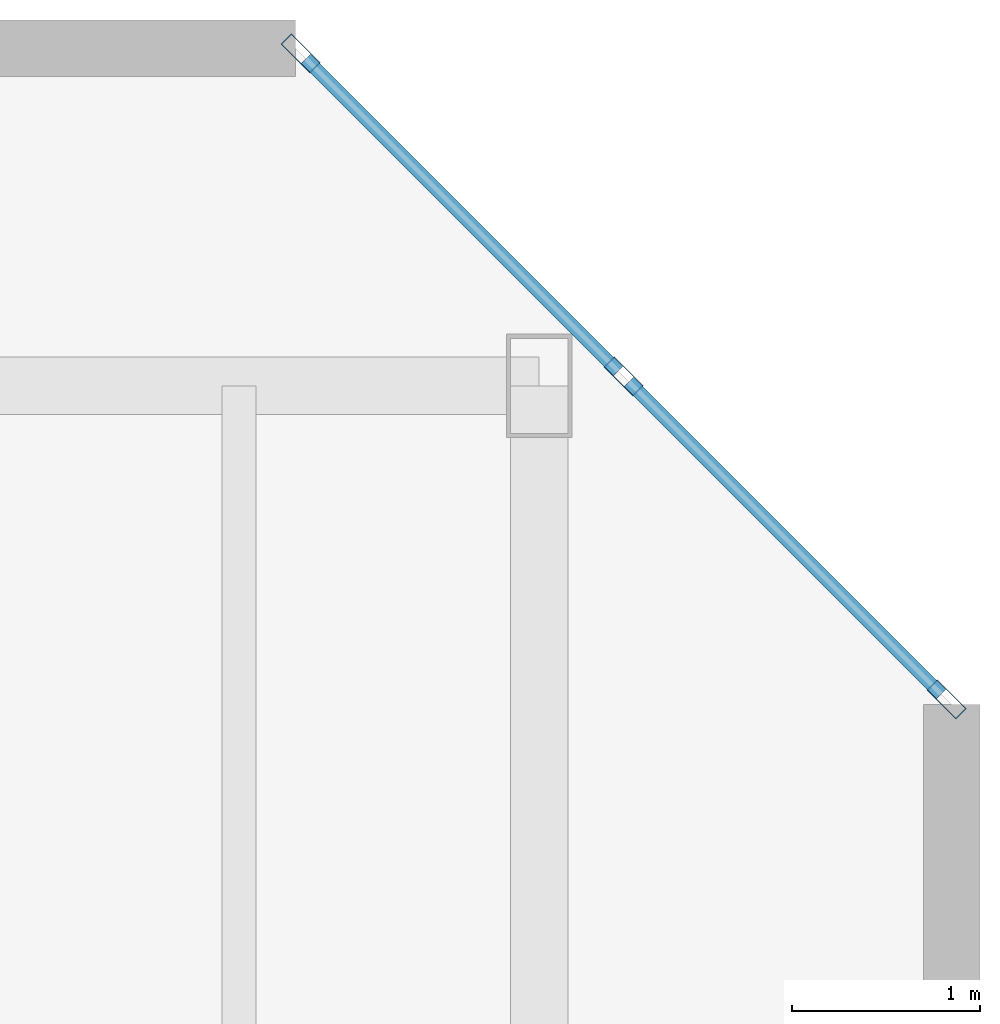
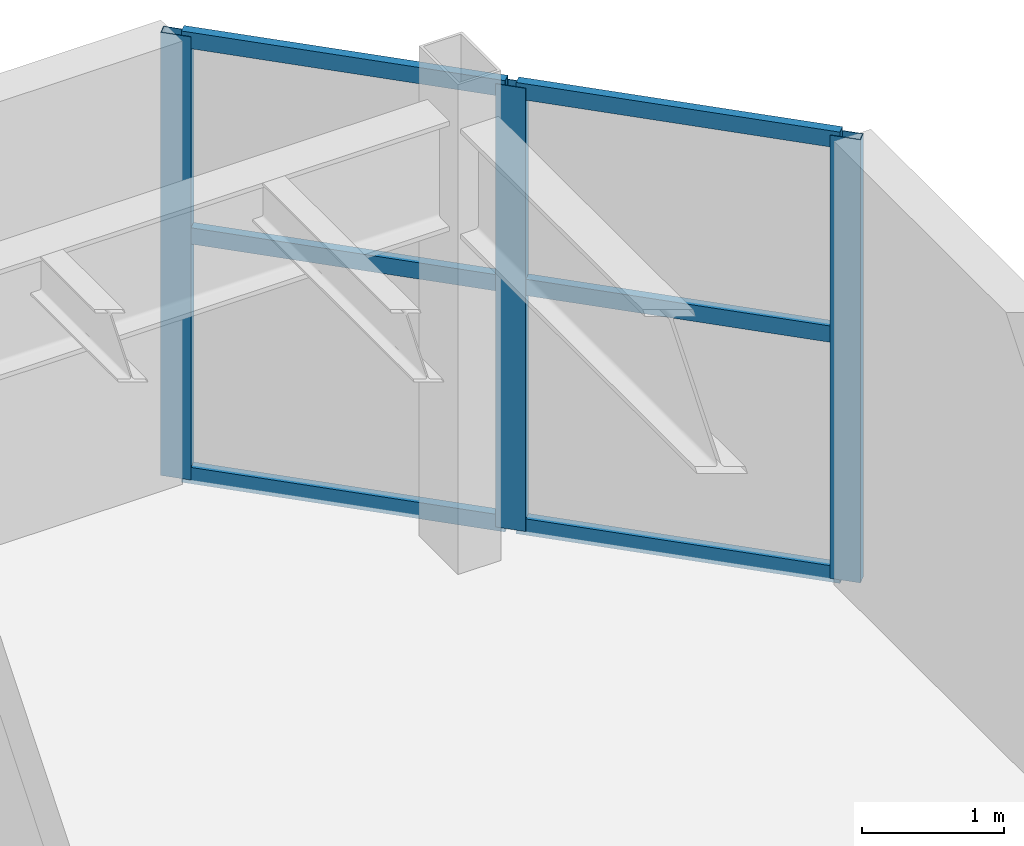
# One storey, part 9 of 20: 9 members, 1 element without a shape of its own.
"""IFC4 building model written with IfcOpenShell, lengths in metres."""

import ifcopenshell
import ifcopenshell.guid

model = None  # the IFC model being written
_history = None  # IfcOwnerHistory: only IFC2X3 demands one
_inside = {}  # id of a spatial element -> (the spatial element, [elements in it])
_under = {}  # id of a project, library or spatial element -> (it, [spatial elements below it])
_declared = {}  # id of a project -> (the project, [libraries it declares])
_typed = {}  # id of a type object -> (the type object, [elements of that type])
_made_of = {}  # id of a material, layer set ... -> (it, [elements and type objects made of it])


def new_model(schema):
    """Start an empty IFC model of exactly this schema.

    Asked for "IFC4X3", IfcOpenShell would pick the latest addendum, in which some entities
    have other attributes; the version numbers below select the first issue.
    IFC2X3 requires an IfcOwnerHistory on every rooted entity: one is made here for all.
    """
    global model, _history
    if schema == "IFC4X3":
        model = ifcopenshell.file(schema_version=(4, 3, 0, 0))
    else:
        model = ifcopenshell.file(schema=schema)
    _inside.clear()
    _under.clear()
    _declared.clear()
    _typed.clear()
    _made_of.clear()
    _history = None
    if model.schema == "IFC2X3":
        org = make("IfcOrganization", Name="unknown")
        user = make(
            "IfcPersonAndOrganization",
            ThePerson=make("IfcPerson", FamilyName="unknown"),
            TheOrganization=org,
        )
        app = make(
            "IfcApplication",
            ApplicationDeveloper=org,
            Version="unknown",
            ApplicationFullName="unknown",
            ApplicationIdentifier="unknown",
        )
        _history = make(
            "IfcOwnerHistory",
            OwningUser=user,
            OwningApplication=app,
            ChangeAction="ADDED",
            CreationDate=0,
        )
    return model


def make(cls, **values):
    """One entity of the class cls with the attributes given. An attribute that is None is left unset."""
    return model.create_entity(
        cls, **{name: value for name, value in values.items() if value is not None}
    )


def rooted(cls, **values):
    """An entity with a GlobalId (a new one), such as an element, a storey or a relation."""
    return make(cls, GlobalId=ifcopenshell.guid.new(), OwnerHistory=_history, **values)


def si_unit(unit_type, name, prefix=None):
    """IfcSIUnit, for example si_unit("LENGTHUNIT", "METRE", prefix="MILLI")."""
    return make("IfcSIUnit", UnitType=unit_type, Prefix=prefix, Name=name)


def assignment(units):
    """IfcUnitAssignment: the units of a project."""
    return None if units is None else make("IfcUnitAssignment", Units=units)


def point(xyz):
    """IfcCartesianPoint."""
    return None if xyz is None else make("IfcCartesianPoint", Coordinates=xyz)


def direction(xyz):
    """IfcDirection."""
    return None if xyz is None else make("IfcDirection", DirectionRatios=xyz)


def frame(location, z_axis=None, x_axis=None):
    """IfcAxis2Placement3D, a coordinate frame: its origin and axes. An axis left out is left unset."""
    return make(
        "IfcAxis2Placement3D",
        Location=point(location),
        Axis=direction(z_axis),
        RefDirection=direction(x_axis),
    )


def frame_2d(location, x_axis=None):
    """IfcAxis2Placement2D, a coordinate frame in the plane: its origin and x axis."""
    return make(
        "IfcAxis2Placement2D", Location=point(location), RefDirection=direction(x_axis)
    )


def origin():
    """The frame at (0, 0, 0) with its axes left unset."""
    return frame((0.0, 0.0, 0.0))


def origin_2d():
    """The frame at (0, 0) in the plane with its x axis left unset."""
    return frame_2d((0.0, 0.0))


def place(relative_to, where):
    """IfcLocalPlacement: puts the frame where relative to a parent placement (None: the world)."""
    return make(
        "IfcLocalPlacement", PlacementRelTo=relative_to, RelativePlacement=where
    )


def context(
    kind, dimensions, precision=None, world=None, true_north=None, identifier=None
):
    """IfcGeometricRepresentationContext, for example the 3D "Model" context."""
    return make(
        "IfcGeometricRepresentationContext",
        ContextIdentifier=identifier,
        ContextType=kind,
        CoordinateSpaceDimension=dimensions,
        Precision=precision,
        WorldCoordinateSystem=world,
        TrueNorth=true_north,
    )


def subcontext(parent, identifier, kind, view, scale=None):
    """IfcGeometricRepresentationSubContext, for example "Body" below "Model"."""
    return make(
        "IfcGeometricRepresentationSubContext",
        ContextIdentifier=identifier,
        ContextType=kind,
        ParentContext=parent,
        TargetScale=scale,
        TargetView=view,
    )


def project(units=None, contexts=None):
    """IfcProject with its units and contexts."""
    return rooted(
        "IfcProject",
        Name="project",
        RepresentationContexts=contexts,
        UnitsInContext=assignment(units),
    )


def spatial(cls, under=None, at=None, **own):
    """A site, building, storey or space (cls), placed at a placement, below another one or the project."""
    s = rooted(cls, ObjectPlacement=at, **own)
    if under is not None:
        _under.setdefault(under.id(), (under, []))[1].append(s)
    return s


def profile(cls, at=None, kind="AREA", **sizes):
    """A parametric profile (cls). Its sizes go by their IFC names, for example OverallWidth=200.0."""
    return make(cls, ProfileType=kind, Position=at, **sizes)


def hollow_rectangle(**sizes):
    """IfcRectangleHollowProfileDef."""
    return profile("IfcRectangleHollowProfileDef", **sizes)


def extrude(swept, where, along, depth):
    """IfcExtrudedAreaSolid: the profile swept, set in the frame where, extruded along a direction by depth."""
    return make(
        "IfcExtrudedAreaSolid",
        SweptArea=swept,
        Position=where,
        ExtrudedDirection=direction(along),
        Depth=depth,
    )


def shape(context_of_items, identifier, shape_type, items):
    """IfcShapeRepresentation: the items that make up one representation, for example the "Body"."""
    return make(
        "IfcShapeRepresentation",
        ContextOfItems=context_of_items,
        RepresentationIdentifier=identifier,
        RepresentationType=shape_type,
        Items=items,
    )


def material(Name=None, Category=None):
    """IfcMaterial."""
    return make("IfcMaterial", Name=Name, Category=Category)


def layer(
    of_material, thickness, ventilated=None, Name=None, Category=None, Priority=None
):
    """IfcMaterialLayer: one layer of a wall or slab, of a material (None: an air gap)."""
    return make(
        "IfcMaterialLayer",
        Material=of_material,
        LayerThickness=thickness,
        IsVentilated=ventilated,
        Name=Name,
        Category=Category,
        Priority=Priority,
    )


def layer_set(layers, Name=None):
    """IfcMaterialLayerSet."""
    return make("IfcMaterialLayerSet", MaterialLayers=layers, LayerSetName=Name)


def material_profile(
    of_material, cross_section, Name=None, Category=None, Priority=None
):
    """IfcMaterialProfile: a cross section and its material."""
    return make(
        "IfcMaterialProfile",
        Name=Name,
        Material=of_material,
        Profile=cross_section,
        Priority=Priority,
        Category=Category,
    )


def profile_set(profiles, Name=None, composite=None):
    """IfcMaterialProfileSet."""
    return make(
        "IfcMaterialProfileSet",
        Name=Name,
        MaterialProfiles=profiles,
        CompositeProfile=composite,
    )


def made_of(thing, what):
    """Note that an element or type object is made of a material, layer set ...; save() writes the relation."""
    if what is not None:
        _made_of.setdefault(what.id(), (what, []))[1].append(thing)
    return thing


def type_object(cls, material=None, **own):
    """A type object (cls), such as IfcWallType, which elements share."""
    return made_of(rooted(cls, **own), material)


def element(
    cls,
    number,
    at=None,
    inside=None,
    cuts=None,
    type_object=None,
    material=None,
    context=None,
    identifier="Body",
    shape_type=None,
    held_by="IfcProductDefinitionShape",
    body=None,
    shapes=None,
    **own,
):
    """One element of the class cls, such as IfcWall. Its Tag is "e" and its number.

    at: its placement. inside: the storey or other place that contains it. cuts: it is an
    opening in that element (IfcRelVoidsElement). A single representation is given by context,
    identifier, shape_type and body (its items); several are given by shapes. held_by: the class
    of the entity that holds the representations. save() writes the other relations.
    """
    e = rooted(cls, Tag="e%d" % number, ObjectPlacement=at, **own)
    if body is not None:
        shapes = [shape(context, identifier, shape_type, body)]
    if shapes is not None:
        e.Representation = make(held_by, Representations=shapes)
    if inside is not None:
        _inside.setdefault(inside.id(), (inside, []))[1].append(e)
    if cuts is not None:
        rooted(
            "IfcRelVoidsElement", RelatingBuildingElement=cuts, RelatedOpeningElement=e
        )
    if type_object is not None:
        _typed.setdefault(type_object.id(), (type_object, []))[1].append(e)
    return made_of(e, material)


def aggregate(whole, parts):
    """IfcRelAggregates: a whole, such as a stair, and the parts it consists of."""
    return rooted("IfcRelAggregates", RelatingObject=whole, RelatedObjects=parts)


def save(model, path):
    """Write the relations noted so far, then the file.

    IfcRelAggregates (storeys below a building ...), IfcRelContainedInSpatialStructure (elements
    in a storey), IfcRelDefinesByType, IfcRelAssociatesMaterial and IfcRelDeclares: one each for
    every whole, place, type object, material and project.
    """
    for whole, parts in _under.values():
        aggregate(whole, parts)
    for where, things in _inside.values():
        rooted(
            "IfcRelContainedInSpatialStructure",
            RelatedElements=things,
            RelatingStructure=where,
        )
    for kind, things in _typed.values():
        rooted("IfcRelDefinesByType", RelatedObjects=things, RelatingType=kind)
    for what, things in _made_of.values():
        rooted("IfcRelAssociatesMaterial", RelatedObjects=things, RelatingMaterial=what)
    for by, libraries in _declared.values():
        rooted("IfcRelDeclares", RelatingContext=by, RelatedDefinitions=libraries)
    model.write(path)


model = new_model("IFC4")

# Units and contexts
model_context = context("Model", 3, precision=1e-05, world=origin(), true_north=direction((0.0, 1.0)))
body_context = subcontext(model_context, "Body", "Model", "MODEL_VIEW")
ifc_project = project(units=[si_unit("LENGTHUNIT", "METRE"), si_unit("AREAUNIT", "SQUARE_METRE"), si_unit("VOLUMEUNIT", "CUBIC_METRE"), si_unit("PLANEANGLEUNIT", "RADIAN"), si_unit("MASSUNIT", "GRAM", prefix="KILO")], contexts=[model_context])

# Site, building, storey
site_placement = place(None, origin())
site = spatial("IfcSite", under=ifc_project, at=site_placement, CompositionType="ELEMENT")
building_placement = place(site_placement, origin())
building = spatial("IfcBuilding", under=site, at=building_placement, Name="Cununo Teusaquillo Station Towers", CompositionType="ELEMENT")
storey_placement = place(building_placement, frame((0.0, 0.0, 13.199951171875)))
storey = spatial("IfcBuildingStorey", under=building, at=storey_placement, Name="L03", CompositionType="ELEMENT", Elevation=13.199951171875)

# Curtain wall, members
ifc_material_1 = material(Name="Ceramic-fritted dark low-E double glazing", Category="glass")
ifc_layer = layer(ifc_material_1, 0.179931640625)
ifc_layer_set = layer_set([ifc_layer], Name="Ceramic-fritted dark low-E double glazing")
curtain_wall_type = type_object("IfcCurtainWallType", Name="CW-SYS-01", PredefinedType="USERDEFINED", material=ifc_layer_set)
curtain_wall_placement = place(storey_placement, origin())
curtain_wall = element("IfcCurtainWall", 1, at=curtain_wall_placement, inside=storey, type_object=curtain_wall_type, Name="L03 Station Podium Corner Curtain Wall 4", ObjectType="FRITTED GLAZING", PredefinedType="USERDEFINED")
ifc_material_2 = material(Name="Anodised dark bronze aluminium EN AW-6063-T6", Category="aluminium")
ifc_material_profile_1 = material_profile(ifc_material_2, hollow_rectangle(XDim=0.080078125, YDim=0.219970703125, WallThickness=0.0048828125, at=origin_2d()), Name="CW-MULL-80x220")
ifc_profile_set_1 = profile_set([ifc_material_profile_1], Name="Anodised dark bronze aluminium EN AW-6063-T6")
member_type_1 = type_object("IfcMemberType", Name="CWM-220", PredefinedType="MULLION", material=ifc_profile_set_1)
member_1_placement = place(storey_placement, frame((78.328369140625, 47.9716796875, 0.0), z_axis=(0.0, 0.0, 1.0), x_axis=(0.707106781187, 0.707106781187, 0.0)))
member_1 = element("IfcMember", 2, at=member_1_placement, type_object=member_type_1, Name="CW-01 mullion 1", PredefinedType="MULLION", context=body_context, shape_type="SweptSolid", body=[
    extrude(hollow_rectangle(XDim=0.080078125, YDim=0.219970703125, WallThickness=0.0048828125, at=origin_2d()), origin(), (0.0, 0.0, 1.0), 3.800048828125),
])
member_2_placement = place(storey_placement, frame((80.050048828125, 46.25, 0.0), z_axis=(0.0, 0.0, 1.0), x_axis=(0.707106781187, 0.707106781187, 0.0)))
member_2 = element("IfcMember", 3, at=member_2_placement, type_object=member_type_1, Name="CW-01 mullion 2", PredefinedType="MULLION", context=body_context, shape_type="SweptSolid", body=[
    extrude(hollow_rectangle(XDim=0.080078125, YDim=0.219970703125, WallThickness=0.0048828125, at=origin_2d()), origin(), (0.0, 0.0, 1.0), 3.800048828125),
])
member_3_placement = place(storey_placement, frame((81.771728515625, 44.5283203125, 0.0), z_axis=(0.0, 0.0, 1.0), x_axis=(0.707106781187, 0.707106781187, 0.0)))
member_3 = element("IfcMember", 4, at=member_3_placement, type_object=member_type_1, Name="CW-01 mullion 3", PredefinedType="MULLION", context=body_context, shape_type="SweptSolid", body=[
    extrude(hollow_rectangle(XDim=0.080078125, YDim=0.219970703125, WallThickness=0.0048828125, at=origin_2d()), origin(), (0.0, 0.0, 1.0), 3.800048828125),
])
ifc_material_3 = material(Name="Anodised dark bronze aluminium EN AW-6063-T6", Category="aluminium")
ifc_material_profile_2 = material_profile(ifc_material_3, hollow_rectangle(XDim=0.070068359375, YDim=0.139892578125, WallThickness=0.00390625, at=origin_2d()), Name="CW-TRAN-70x140")
ifc_profile_set_2 = profile_set([ifc_material_profile_2], Name="Anodised dark bronze aluminium EN AW-6063-T6")
member_type_2 = type_object("IfcMemberType", Name="CWT-140", PredefinedType="USERDEFINED", material=ifc_profile_set_2)
member_4_placement = place(storey_placement, frame((78.356689453125, 47.943359375, 0.03515625), z_axis=(0.707106781187, -0.707106781187, 0.0), x_axis=(0.707106781187, 0.707106781187, 0.0)))
member_4 = element("IfcMember", 5, at=member_4_placement, type_object=member_type_2, Name="CW-01 transom 1.1", ObjectType="TRANSOM", PredefinedType="USERDEFINED", context=body_context, shape_type="SweptSolid", body=[
    extrude(hollow_rectangle(XDim=0.070068359375, YDim=0.139892578125, WallThickness=0.00390625, at=origin_2d()), origin(), (0.0, 0.0, 1.0), 2.354736328125),
])
member_5_placement = place(storey_placement, frame((78.356689453125, 47.943359375, 2.090087890625), z_axis=(0.707106781187, -0.707106781187, 0.0), x_axis=(0.707106781187, 0.707106781187, 0.0)))
member_5 = element("IfcMember", 6, at=member_5_placement, type_object=member_type_2, Name="CW-01 transom 1.2", ObjectType="TRANSOM", PredefinedType="USERDEFINED", context=body_context, shape_type="SweptSolid", body=[
    extrude(hollow_rectangle(XDim=0.070068359375, YDim=0.139892578125, WallThickness=0.00390625, at=origin_2d()), origin(), (0.0, 0.0, 1.0), 2.354736328125),
])
member_6_placement = place(storey_placement, frame((78.356689453125, 47.943359375, 3.76513671875), z_axis=(0.707106781187, -0.707106781187, 0.0), x_axis=(0.707106781187, 0.707106781187, 0.0)))
member_6 = element("IfcMember", 7, at=member_6_placement, type_object=member_type_2, Name="CW-01 transom 1.3", ObjectType="TRANSOM", PredefinedType="USERDEFINED", context=body_context, shape_type="SweptSolid", body=[
    extrude(hollow_rectangle(XDim=0.070068359375, YDim=0.139892578125, WallThickness=0.00390625, at=origin_2d()), origin(), (0.0, 0.0, 1.0), 2.354736328125),
])
member_7_placement = place(storey_placement, frame((80.078369140625, 46.2216796875, 0.03515625), z_axis=(0.707106781187, -0.707106781187, 0.0), x_axis=(0.707106781187, 0.707106781187, 0.0)))
member_7 = element("IfcMember", 8, at=member_7_placement, type_object=member_type_2, Name="CW-01 transom 2.1", ObjectType="TRANSOM", PredefinedType="USERDEFINED", context=body_context, shape_type="SweptSolid", body=[
    extrude(hollow_rectangle(XDim=0.070068359375, YDim=0.139892578125, WallThickness=0.00390625, at=origin_2d()), origin(), (0.0, 0.0, 1.0), 2.354736328125),
])
member_8_placement = place(storey_placement, frame((80.078369140625, 46.2216796875, 2.090087890625), z_axis=(0.707106781187, -0.707106781187, 0.0), x_axis=(0.707106781187, 0.707106781187, 0.0)))
member_8 = element("IfcMember", 9, at=member_8_placement, type_object=member_type_2, Name="CW-01 transom 2.2", ObjectType="TRANSOM", PredefinedType="USERDEFINED", context=body_context, shape_type="SweptSolid", body=[
    extrude(hollow_rectangle(XDim=0.070068359375, YDim=0.139892578125, WallThickness=0.00390625, at=origin_2d()), origin(), (0.0, 0.0, 1.0), 2.354736328125),
])
member_9_placement = place(storey_placement, frame((80.078369140625, 46.2216796875, 3.76513671875), z_axis=(0.707106781187, -0.707106781187, 0.0), x_axis=(0.707106781187, 0.707106781187, 0.0)))
member_9 = element("IfcMember", 10, at=member_9_placement, type_object=member_type_2, Name="CW-01 transom 2.3", ObjectType="TRANSOM", PredefinedType="USERDEFINED", context=body_context, shape_type="SweptSolid", body=[
    extrude(hollow_rectangle(XDim=0.070068359375, YDim=0.139892578125, WallThickness=0.00390625, at=origin_2d()), origin(), (0.0, 0.0, 1.0), 2.354736328125),
])
aggregate(curtain_wall, [member_1, member_2, member_3, member_4, member_5, member_6, member_7, member_8, member_9])

save(model, "model.ifc")
